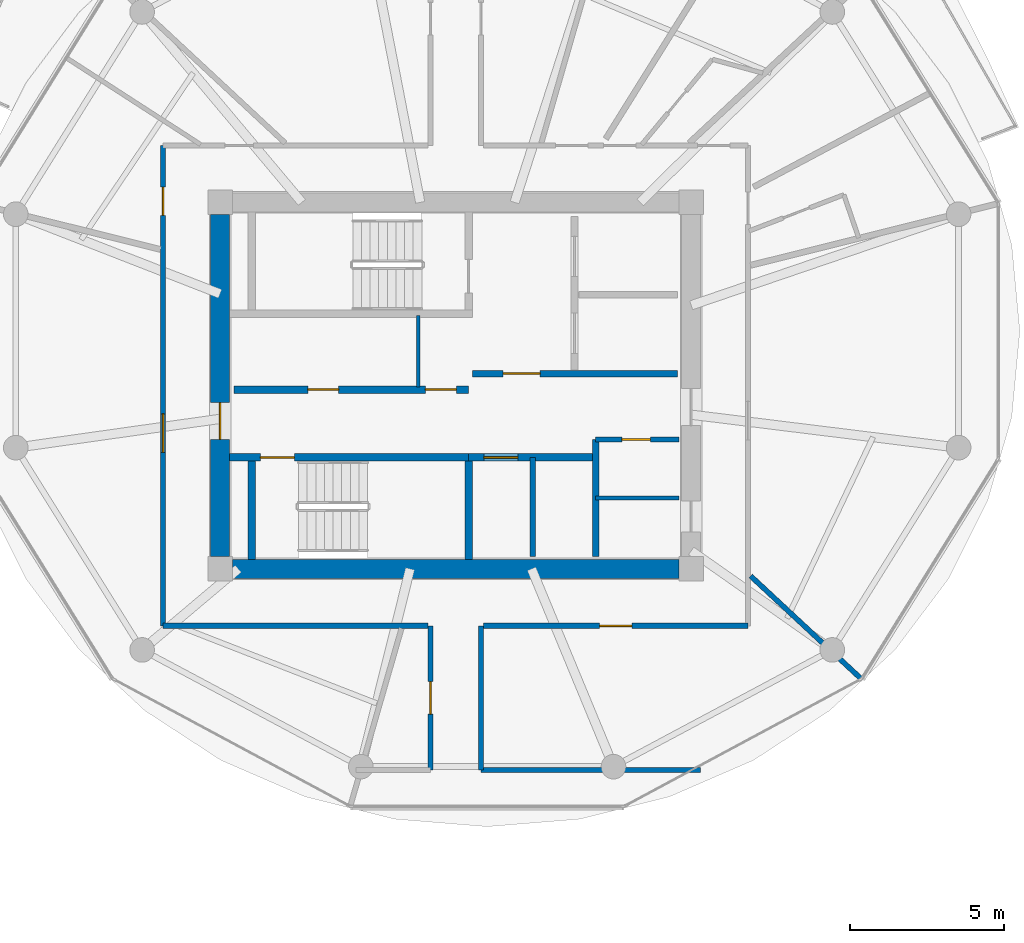
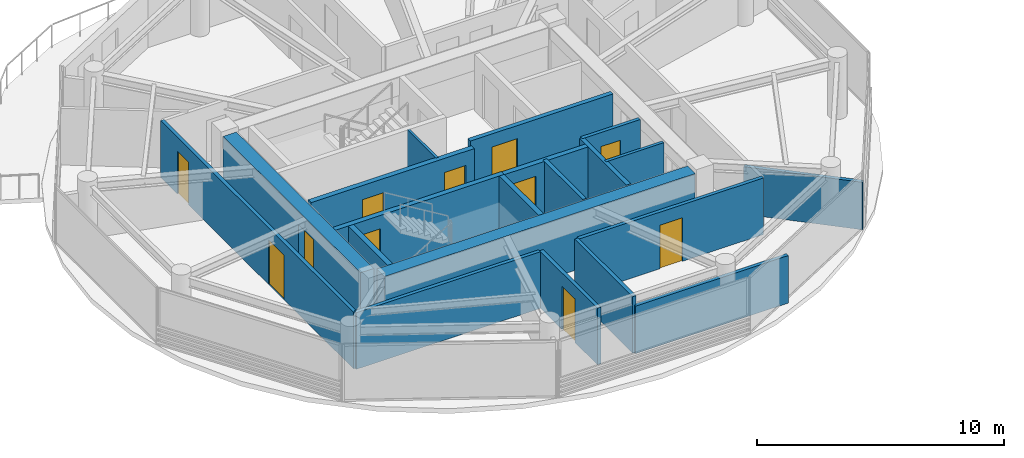
# One storey, part 12 of 21: 20 walls, 11 doors, 11 openings.
"""IFC4 building model written with IfcOpenShell, lengths in metres."""

from ifc_helpers import new_model, si_unit, direction, frame, frame_2d, origin, place, context, subcontext, project, spatial, rectangle, extrude, source, transform, mapped, material, layer, layer_set, type_object, type_shapes, element, fill, save


model = new_model("IFC4")

# Units and contexts
model_context = context("Model", 3, precision=1e-05, world=origin(), true_north=direction((0.0, 1.0)))
body_context = subcontext(model_context, "Body", "Model", "MODEL_VIEW")
ifc_project = project(units=[si_unit("LENGTHUNIT", "METRE"), si_unit("AREAUNIT", "SQUARE_METRE"), si_unit("VOLUMEUNIT", "CUBIC_METRE"), si_unit("PLANEANGLEUNIT", "RADIAN"), si_unit("MASSUNIT", "GRAM", prefix="KILO")], contexts=[model_context])

# Site, building, storey
site_placement = place(None, origin())
site = spatial("IfcSite", under=ifc_project, at=site_placement, CompositionType="ELEMENT")
building_placement = place(site_placement, origin())
building = spatial("IfcBuilding", under=site, at=building_placement, Name="Norrkilde Senior Care Towers", CompositionType="ELEMENT")
storey_placement = place(building_placement, frame((0.0, 0.0, 149.550048828125)))
storey = spatial("IfcBuildingStorey", under=building, at=storey_placement, Name="L46", CompositionType="ELEMENT", Elevation=149.550048828125)

# Wall
ifc_material_1 = material(Name="Concrete C50/60", Category="concrete")
ifc_layer_1 = layer(ifc_material_1, 0.6201171875)
ifc_layer_set_1 = layer_set([ifc_layer_1], Name="Concrete C50/60")
wall_type_1 = type_object("IfcWallType", Name="Core Shear Wall Z3 620", PredefinedType="SHEAR", material=ifc_layer_set_1)
shared_shape_1 = source(origin(), body_context, "Body", "SweptSolid", [
    extrude(rectangle(XDim=14.5, YDim=0.6201171875, at=frame_2d((7.25, 0.0))), origin(), (0.0, 0.0, 1.0), 2.81005859375),
])
wall_1_placement = place(storey_placement, frame((-20.75, -5.949951171875, 0.0), z_axis=(0.0, 0.0, 1.0), x_axis=(-1.0, 0.0, 0.0)))
element("IfcWall", 1, at=wall_1_placement, inside=storey, type_object=wall_type_1, Name="L46 Core W South Shear Wall", PredefinedType="SHEAR", context=body_context, shape_type="MappedRepresentation", body=[
    mapped(shared_shape_1, transform((0.0, 0.0, 0.0), x_axis=(1.0, 0.0, 0.0), y_axis=(0.0, 1.0, 0.0), z_axis=(0.0, 0.0, 1.0), scale=1.0)),
])

# Wall, opening, door
shared_shape_2 = source(origin(), body_context, "Body", "SweptSolid", [
    extrude(rectangle(XDim=11.10009765625, YDim=0.6201171875, at=frame_2d((5.550048828125, 0.0))), origin(), (0.0, 0.0, 1.0), 2.81005859375),
])
type_shapes(wall_type_1, [shared_shape_1, shared_shape_2])
wall_2_placement = place(storey_placement, frame((-35.64990234375, -5.550048828125, 0.0), z_axis=(0.0, 0.0, 1.0), x_axis=(0.0, 1.0, 0.0)))
wall_2 = element("IfcWall", 2, at=wall_2_placement, inside=storey, type_object=wall_type_1, Name="L46 Core W West Shear Wall", PredefinedType="SHEAR", context=body_context, shape_type="MappedRepresentation", body=[
    mapped(shared_shape_2, transform((0.0, 0.0, 0.0), x_axis=(1.0, 0.0, 0.0), y_axis=(0.0, 1.0, 0.0), z_axis=(0.0, 0.0, 1.0), scale=1.0)),
])
opening_1_placement = place(wall_2_placement, frame((3.800048828125, 0.0, 0.0)))
opening_1 = element("IfcOpeningElement", 3, at=opening_1_placement, cuts=wall_2, Name="Opening D-04", PredefinedType="OPENING", context=body_context, shape_type="SweptSolid", body=[
    extrude(rectangle(XDim=1.199951171875, YDim=2.14990234375, at=frame_2d((0.60009765625, 1.074951171875))), frame((0.0, 0.320068359375, 0.0), z_axis=(0.0, -1.0, 0.0), x_axis=(1.0, 0.0, 0.0)), (0.0, 0.0, 1.0), 0.64013671875),
])
ifc_material_2 = material(Name="Galvanised Painted Steel", Category="steel")
door_type_1 = type_object("IfcDoorType", Name="Firefighting Lobby Fire Door 1200x2150", OperationType="NOTDEFINED", PredefinedType="DOOR", material=ifc_material_2)
shared_shape_3 = source(origin(), body_context, "Body", "SweptSolid", [
    extrude(rectangle(XDim=1.199951171875, YDim=2.14990234375, at=frame_2d((0.60009765625, 1.074951171875))), frame((0.0, 0.02490234375, 0.0), z_axis=(0.0, -1.0, 0.0), x_axis=(1.0, 0.0, 0.0)), (0.0, 0.0, 1.0), 0.050048828125),
])
type_shapes(door_type_1, [shared_shape_3])
door_1_placement = place(opening_1_placement, frame((1.199951171875, 0.0, 0.0), z_axis=(0.0, 0.0, 1.0), x_axis=(-1.0, 0.0, 0.0)))
door_1 = element("IfcDoor", 4, at=door_1_placement, inside=storey, type_object=door_type_1, Name="L46 Core W West Portal Door", OperationType="SINGLE_SWING_LEFT", OverallHeight=2.14990234375, OverallWidth=1.199951171875, PredefinedType="DOOR", context=body_context, shape_type="MappedRepresentation", body=[
    mapped(shared_shape_3, transform((0.0, 0.0, 0.0), x_axis=(1.0, 0.0, 0.0), y_axis=(0.0, 1.0, 0.0), z_axis=(0.0, 0.0, 1.0), scale=1.0)),
])
fill(opening_1, door_1)

ifc_material_3 = material(Name="Concrete C45/55", Category="concrete")
ifc_layer_2 = layer(ifc_material_3, 0.239990234375)
ifc_layer_set_2 = layer_set([ifc_layer_2], Name="Concrete C45/55")
wall_type_2 = type_object("IfcWallType", Name="Shaft and Stair Enclosure Wall 240", PredefinedType="PARTITIONING", material=ifc_layer_set_2)
shared_shape_4 = source(origin(), body_context, "Body", "SweptSolid", [
    extrude(rectangle(XDim=7.880126953125, YDim=0.239990234375, at=frame_2d((3.93994140625, 0.0))), origin(), (0.0, 0.0, 1.0), 2.81005859375),
])
wall_3_placement = place(storey_placement, frame((-35.340087890625, -2.330078125, 0.0), z_axis=(0.0, 0.0, 1.0), x_axis=(1.0, 0.0, 0.0)))
wall_3 = element("IfcWall", 5, at=wall_3_placement, inside=storey, type_object=wall_type_2, Name="WL-INT-L46-W-ST2N", PredefinedType="PARTITIONING", context=body_context, shape_type="MappedRepresentation", body=[
    mapped(shared_shape_4, transform((0.0, 0.0, 0.0), x_axis=(1.0, 0.0, 0.0), y_axis=(0.0, 1.0, 0.0), z_axis=(0.0, 0.0, 1.0), scale=1.0)),
])
opening_2_placement = place(wall_3_placement, frame((1.0, 0.0, 0.0)))
opening_2 = element("IfcOpeningElement", 6, at=opening_2_placement, cuts=wall_3, Name="Opening D-03", PredefinedType="OPENING", context=body_context, shape_type="SweptSolid", body=[
    extrude(rectangle(XDim=1.10009765625, YDim=2.14990234375, at=frame_2d((0.550048828125, 1.074951171875))), frame((0.0, 0.1298828125, 0.0), z_axis=(0.0, -1.0, 0.0), x_axis=(1.0, 0.0, 0.0)), (0.0, 0.0, 1.0), 0.260009765625),
])
door_type_2 = type_object("IfcDoorType", Name="Stairwell Protected Fire Door 1100x2150", OperationType="NOTDEFINED", PredefinedType="DOOR", material=ifc_material_2)
shared_shape_5 = source(origin(), body_context, "Body", "SweptSolid", [
    extrude(rectangle(XDim=1.10009765625, YDim=2.14990234375, at=frame_2d((0.550048828125, 1.074951171875))), frame((0.0, 0.02490234375, 0.0), z_axis=(0.0, -1.0, 0.0), x_axis=(1.0, 0.0, 0.0)), (0.0, 0.0, 1.0), 0.050048828125),
])
type_shapes(door_type_2, [shared_shape_5])
door_2_placement = place(opening_2_placement, frame((1.10009765625, 0.0, 0.0), z_axis=(0.0, 0.0, 1.0), x_axis=(-1.0, 0.0, 0.0)))
door_2 = element("IfcDoor", 7, at=door_2_placement, inside=storey, type_object=door_type_2, Name="L46 Stair W2 Fire Door", OperationType="SINGLE_SWING_RIGHT", OverallHeight=2.14990234375, OverallWidth=1.10009765625, PredefinedType="DOOR", context=body_context, shape_type="MappedRepresentation", body=[
    mapped(shared_shape_5, transform((0.0, 0.0, 0.0), x_axis=(1.0, 0.0, 0.0), y_axis=(0.0, 1.0, 0.0), z_axis=(0.0, 0.0, 1.0), scale=1.0)),
])
fill(opening_2, door_2)

# Walls
shared_shape_6 = source(origin(), body_context, "Body", "SweptSolid", [
    extrude(rectangle(XDim=3.18994140625, YDim=0.239990234375, at=frame_2d((1.594970703125, 0.0))), origin(), (0.0, 0.0, 1.0), 2.81005859375),
])
type_shapes(wall_type_2, [shared_shape_4, shared_shape_6])
for number, where, z_axis, x_axis, name in (
    (8, (-34.6201171875, -5.639892578125, 0.0), (0.0, 0.0, 1.0), (0.0, 1.0, 0.0), "WL-INT-L46-W-ST2W"),
    (9, (-27.580078125, -5.639892578125, 0.0), (0.0, 0.0, 1.0), (0.0, 1.0, 0.0), "WL-INT-L46-W-ST2E"),
):
    element("IfcWall", number, at=place(storey_placement, frame(where, z_axis=z_axis, x_axis=x_axis)), inside=storey, type_object=wall_type_2, Name=name, PredefinedType="PARTITIONING", context=body_context, shape_type="MappedRepresentation", body=[
        mapped(shared_shape_6, transform((0.0, 0.0, 0.0), x_axis=(1.0, 0.0, 0.0), y_axis=(0.0, 1.0, 0.0), z_axis=(0.0, 0.0, 1.0), scale=1.0)),
    ])

# Wall, opening, door
ifc_layer_3 = layer(ifc_material_3, 0.2099609375)
ifc_layer_set_3 = layer_set([ifc_layer_3], Name="Concrete C45/55")
wall_type_3 = type_object("IfcWallType", Name="Firefighting Lobby Wall 210", PredefinedType="PARTITIONING", material=ifc_layer_set_3)
shared_shape_7 = source(origin(), body_context, "Body", "SweptSolid", [
    extrude(rectangle(XDim=6.659912109375, YDim=0.2099609375, at=frame_2d((3.330078125, 0.0))), origin(), (0.0, 0.0, 1.0), 2.794921875),
])
type_shapes(wall_type_3, [shared_shape_7])
wall_4_placement = place(storey_placement, frame((-27.4599609375, 0.389892578125, 0.0), z_axis=(0.0, 0.0, 1.0), x_axis=(1.0, 0.0, 0.0)))
wall_4 = element("IfcWall", 10, at=wall_4_placement, inside=storey, type_object=wall_type_3, Name="WL-INT-L46-W-FFLS", PredefinedType="PARTITIONING", context=body_context, shape_type="MappedRepresentation", body=[
    mapped(shared_shape_7, transform((0.0, 0.0, 0.0), x_axis=(1.0, 0.0, 0.0), y_axis=(0.0, 1.0, 0.0), z_axis=(0.0, 0.0, 1.0), scale=1.0)),
])
opening_3_placement = place(wall_4_placement, frame((1.0, 0.0, 0.0)))
opening_3 = element("IfcOpeningElement", 11, at=opening_3_placement, cuts=wall_4, Name="Opening D-04", PredefinedType="OPENING", context=body_context, shape_type="SweptSolid", body=[
    extrude(rectangle(XDim=1.199951171875, YDim=2.14990234375, at=frame_2d((0.60009765625, 1.074951171875))), frame((0.0, 0.114990234375, 0.0), z_axis=(0.0, -1.0, 0.0), x_axis=(1.0, 0.0, 0.0)), (0.0, 0.0, 1.0), 0.22998046875),
])
door_3_placement = place(opening_3_placement, frame((1.199951171875, 0.0, 0.0), z_axis=(0.0, 0.0, 1.0), x_axis=(-1.0, 0.0, 0.0)))
door_3 = element("IfcDoor", 12, at=door_3_placement, inside=storey, type_object=door_type_1, Name="L46 Firefighting Lobby W Door", OperationType="SINGLE_SWING_LEFT", OverallHeight=2.14990234375, OverallWidth=1.199951171875, PredefinedType="DOOR", context=body_context, shape_type="MappedRepresentation", body=[
    mapped(shared_shape_3, transform((0.0, 0.0, 0.0), x_axis=(1.0, 0.0, 0.0), y_axis=(0.0, 1.0, 0.0), z_axis=(0.0, 0.0, 1.0), scale=1.0)),
])
fill(opening_3, door_3)

# Wall, openings, doors
ifc_layer_4 = layer(ifc_material_3, 0.239990234375)
ifc_layer_set_4 = layer_set([ifc_layer_4], Name="Concrete C45/55")
wall_type_4 = type_object("IfcWallType", Name="Lift and Plant Rated Enclosure Partition 240", PredefinedType="PARTITIONING", material=ifc_layer_set_4)
shared_shape_8 = source(origin(), body_context, "Body", "SweptSolid", [
    extrude(rectangle(XDim=7.619873046875, YDim=0.239990234375, at=frame_2d((3.81005859375, 0.0))), origin(), (0.0, 0.0, 1.0), 2.794921875),
])
wall_5_placement = place(storey_placement, frame((-35.199951171875, -0.1298828125, 0.0), z_axis=(0.0, 0.0, 1.0), x_axis=(1.0, 0.0, 0.0)))
wall_5 = element("IfcWall", 13, at=wall_5_placement, inside=storey, type_object=wall_type_4, Name="WL-INT-L46-W-PKAS", PredefinedType="PARTITIONING", context=body_context, shape_type="MappedRepresentation", body=[
    mapped(shared_shape_8, transform((0.0, 0.0, 0.0), x_axis=(1.0, 0.0, 0.0), y_axis=(0.0, 1.0, 0.0), z_axis=(0.0, 0.0, 1.0), scale=1.0)),
])
opening_4_placement = place(wall_5_placement, frame((6.219970703125, 0.0, 0.0)))
opening_4 = element("IfcOpeningElement", 14, at=opening_4_placement, cuts=wall_5, Name="Opening D-10", PredefinedType="OPENING", context=body_context, shape_type="SweptSolid", body=[
    extrude(rectangle(XDim=1.0, YDim=2.10009765625, at=frame_2d((0.5, 1.050048828125))), frame((0.0, 0.1298828125, 0.0), z_axis=(0.0, -1.0, 0.0), x_axis=(1.0, 0.0, 0.0)), (0.0, 0.0, 1.0), 0.260009765625),
])
opening_5_placement = place(wall_5_placement, frame((2.39990234375, 0.0, 0.0)))
opening_5 = element("IfcOpeningElement", 15, at=opening_5_placement, cuts=wall_5, Name="Opening D-10", PredefinedType="OPENING", context=body_context, shape_type="SweptSolid", body=[
    extrude(rectangle(XDim=1.0, YDim=2.10009765625, at=frame_2d((0.5, 1.050048828125))), frame((0.0, 0.1298828125, 0.0), z_axis=(0.0, -1.0, 0.0), x_axis=(1.0, 0.0, 0.0)), (0.0, 0.0, 1.0), 0.260009765625),
])
door_type_3 = type_object("IfcDoorType", Name="Plant and Riser Rated Door 1000x2100", OperationType="NOTDEFINED", PredefinedType="DOOR", material=ifc_material_2)
shared_shape_9 = source(origin(), body_context, "Body", "SweptSolid", [
    extrude(rectangle(XDim=1.0, YDim=2.10009765625, at=frame_2d((0.5, 1.050048828125))), frame((0.0, 0.02490234375, 0.0), z_axis=(0.0, -1.0, 0.0), x_axis=(1.0, 0.0, 0.0)), (0.0, 0.0, 1.0), 0.050048828125),
])
type_shapes(door_type_3, [shared_shape_9])
door_4_placement = place(opening_4_placement, frame((1.0, 0.0, 0.0), z_axis=(0.0, 0.0, 1.0), x_axis=(-1.0, 0.0, 0.0)))
door_4 = element("IfcDoor", 16, at=door_4_placement, inside=storey, type_object=door_type_3, Name="L46 Electrical Riser W Door", OperationType="SINGLE_SWING_LEFT", OverallHeight=2.10009765625, OverallWidth=1.0, PredefinedType="DOOR", context=body_context, shape_type="MappedRepresentation", body=[
    mapped(shared_shape_9, transform((0.0, 0.0, 0.0), x_axis=(1.0, 0.0, 0.0), y_axis=(0.0, 1.0, 0.0), z_axis=(0.0, 0.0, 1.0), scale=1.0)),
])
fill(opening_4, door_4)
door_5_placement = place(opening_5_placement, frame((1.0, 0.0, 0.0), z_axis=(0.0, 0.0, 1.0), x_axis=(-1.0, 0.0, 0.0)))
door_5 = element("IfcDoor", 17, at=door_5_placement, inside=storey, type_object=door_type_3, Name="L46 Clean Supply Store W Door", OperationType="SINGLE_SWING_LEFT", OverallHeight=2.10009765625, OverallWidth=1.0, PredefinedType="DOOR", context=body_context, shape_type="MappedRepresentation", body=[
    mapped(shared_shape_9, transform((0.0, 0.0, 0.0), x_axis=(1.0, 0.0, 0.0), y_axis=(0.0, 1.0, 0.0), z_axis=(0.0, 0.0, 1.0), scale=1.0)),
])
fill(opening_5, door_5)

# Walls
ifc_material_4 = material(Name="Gypsum Acoustic Board")
ifc_layer_5 = layer(ifc_material_4, 0.114990234375)
ifc_layer_set_5 = layer_set([ifc_layer_5], Name="Gypsum Acoustic Board")
wall_type_5 = type_object("IfcWallType", Name="Internal Room Partition 115", PredefinedType="PARTITIONING", material=ifc_layer_set_5)
shared_shape_10 = source(origin(), body_context, "Body", "SweptSolid", [
    extrude(rectangle(XDim=2.330078125, YDim=0.114990234375, at=frame_2d((1.1650390625, 0.0))), origin(), (0.0, 0.0, 1.0), 2.794921875),
])
type_shapes(wall_type_5, [shared_shape_10])
wall_6_placement = place(storey_placement, frame((-29.2099609375, -0.050048828125, 0.0), z_axis=(0.0, 0.0, 1.0), x_axis=(0.0, 1.0, 0.0)))
element("IfcWall", 18, at=wall_6_placement, inside=storey, type_object=wall_type_5, Name="WL-INT-L46-W-RISW", PredefinedType="PARTITIONING", context=body_context, shape_type="MappedRepresentation", body=[
    mapped(shared_shape_10, transform((0.0, 0.0, 0.0), x_axis=(1.0, 0.0, 0.0), y_axis=(0.0, 1.0, 0.0), z_axis=(0.0, 0.0, 1.0), scale=1.0)),
])
ifc_layer_6 = layer(ifc_material_3, 0.199951171875)
ifc_layer_set_6 = layer_set([ifc_layer_6], Name="Concrete C45/55")
wall_type_6 = type_object("IfcWallType", Name="Shaft Division and Plant Partition 200", PredefinedType="PARTITIONING", material=ifc_layer_set_6)
shared_shape_11 = source(origin(), body_context, "Body", "SweptSolid", [
    extrude(rectangle(XDim=3.800048828125, YDim=0.199951171875, at=frame_2d((1.89990234375, 0.0))), origin(), (0.0, 0.0, 1.0), 2.794921875),
])
type_shapes(wall_type_6, [shared_shape_11])
wall_7_placement = place(storey_placement, frame((-23.449951171875, -5.550048828125, 0.0), z_axis=(0.0, 0.0, 1.0), x_axis=(0.0, 1.0, 0.0)))
element("IfcWall", 19, at=wall_7_placement, inside=storey, type_object=wall_type_6, Name="WL-INT-L46-W-PKBE", PredefinedType="PARTITIONING", context=body_context, shape_type="MappedRepresentation", body=[
    mapped(shared_shape_11, transform((0.0, 0.0, 0.0), x_axis=(1.0, 0.0, 0.0), y_axis=(0.0, 1.0, 0.0), z_axis=(0.0, 0.0, 1.0), scale=1.0)),
])

# Wall, opening, door
shared_shape_12 = source(origin(), body_context, "Body", "SweptSolid", [
    extrude(rectangle(XDim=4.130126953125, YDim=0.239990234375, at=frame_2d((2.06494140625, 0.0))), origin(), (0.0, 0.0, 1.0), 2.794921875),
])
type_shapes(wall_type_4, [shared_shape_8, shared_shape_12])
wall_8_placement = place(storey_placement, frame((-27.580078125, -2.330078125, 0.0), z_axis=(0.0, 0.0, 1.0), x_axis=(1.0, 0.0, 0.0)))
wall_8 = element("IfcWall", 20, at=wall_8_placement, inside=storey, type_object=wall_type_4, Name="WL-INT-L46-W-PKBN", PredefinedType="PARTITIONING", context=body_context, shape_type="MappedRepresentation", body=[
    mapped(shared_shape_12, transform((0.0, 0.0, 0.0), x_axis=(1.0, 0.0, 0.0), y_axis=(0.0, 1.0, 0.0), z_axis=(0.0, 0.0, 1.0), scale=1.0)),
])
opening_6_placement = place(wall_8_placement, frame((0.5, 0.0, 0.0)))
opening_6 = element("IfcOpeningElement", 21, at=opening_6_placement, cuts=wall_8, Name="Opening LD-01", PredefinedType="OPENING", context=body_context, shape_type="SweptSolid", body=[
    extrude(rectangle(XDim=1.10009765625, YDim=2.199951171875, at=frame_2d((0.550048828125, 1.10009765625))), frame((0.0, 0.1298828125, 0.0), z_axis=(0.0, -1.0, 0.0), x_axis=(1.0, 0.0, 0.0)), (0.0, 0.0, 1.0), 0.260009765625),
])
ifc_material_5 = material(Name="Stainless Steel", Category="steel")
door_type_4 = type_object("IfcDoorType", Name="Lift Landing Sliding Door 1100x2200", OperationType="NOTDEFINED", PredefinedType="DOOR", material=ifc_material_5)
shared_shape_13 = source(origin(), body_context, "Body", "SweptSolid", [
    extrude(rectangle(XDim=1.10009765625, YDim=2.199951171875, at=frame_2d((0.550048828125, 1.10009765625))), frame((0.0, 0.02490234375, 0.0), z_axis=(0.0, -1.0, 0.0), x_axis=(1.0, 0.0, 0.0)), (0.0, 0.0, 1.0), 0.050048828125),
])
type_shapes(door_type_4, [shared_shape_13])
door_6_placement = place(opening_6_placement, frame((1.10009765625, 0.0, 0.0), z_axis=(0.0, 0.0, 1.0), x_axis=(-1.0, 0.0, 0.0)))
door_6 = element("IfcDoor", 22, at=door_6_placement, inside=storey, type_object=door_type_4, Name="L46 Passenger Lift W3 Landing Door", OperationType="SLIDING_TO_LEFT", OverallHeight=2.199951171875, OverallWidth=1.10009765625, PredefinedType="DOOR", context=body_context, shape_type="MappedRepresentation", body=[
    mapped(shared_shape_13, transform((0.0, 0.0, 0.0), x_axis=(1.0, 0.0, 0.0), y_axis=(0.0, 1.0, 0.0), z_axis=(0.0, 0.0, 1.0), scale=1.0)),
])
fill(opening_6, door_6)

# Wall
ifc_layer_7 = layer(ifc_material_3, 0.179931640625)
ifc_layer_set_7 = layer_set([ifc_layer_7], Name="Concrete C45/55")
wall_type_7 = type_object("IfcWallType", Name="Hoistway Division Rated Partition 180", PredefinedType="PARTITIONING", material=ifc_layer_set_7)
shared_shape_14 = source(origin(), body_context, "Body", "SweptSolid", [
    extrude(rectangle(XDim=3.219970703125, YDim=0.179931640625, at=frame_2d((1.60986328125, 0.0))), origin(), (0.0, 0.0, 1.0), 2.794921875),
])
type_shapes(wall_type_7, [shared_shape_14])
wall_9_placement = place(storey_placement, frame((-25.5, -5.550048828125, 0.0), z_axis=(0.0, 0.0, 1.0), x_axis=(0.0, 1.0, 0.0)))
element("IfcWall", 23, at=wall_9_placement, inside=storey, type_object=wall_type_7, Name="WL-INT-L46-W-PL34", PredefinedType="PARTITIONING", context=body_context, shape_type="MappedRepresentation", body=[
    mapped(shared_shape_14, transform((0.0, 0.0, 0.0), x_axis=(1.0, 0.0, 0.0), y_axis=(0.0, 1.0, 0.0), z_axis=(0.0, 0.0, 1.0), scale=1.0)),
])

# Wall, opening, door
ifc_layer_8 = layer(ifc_material_4, 0.1650390625)
ifc_layer_set_8 = layer_set([ifc_layer_8], Name="Gypsum Acoustic Board")
wall_type_8 = type_object("IfcWallType", Name="Corridor Rated Partition 165", PredefinedType="PARTITIONING", material=ifc_layer_set_8)
shared_shape_15 = source(origin(), body_context, "Body", "SweptSolid", [
    extrude(rectangle(XDim=2.699951171875, YDim=0.1650390625, at=frame_2d((1.35009765625, 0.0))), origin(), (0.0, 0.0, 1.0), 2.794921875),
])
wall_10_placement = place(storey_placement, frame((-23.449951171875, -1.75, 0.0), z_axis=(0.0, 0.0, 1.0), x_axis=(1.0, 0.0, 0.0)))
wall_10 = element("IfcWall", 24, at=wall_10_placement, inside=storey, type_object=wall_type_8, Name="WL-INT-L46-W-CSN", PredefinedType="PARTITIONING", context=body_context, shape_type="MappedRepresentation", body=[
    mapped(shared_shape_15, transform((0.0, 0.0, 0.0), x_axis=(1.0, 0.0, 0.0), y_axis=(0.0, 1.0, 0.0), z_axis=(0.0, 0.0, 1.0), scale=1.0)),
])
opening_7_placement = place(wall_10_placement, frame((0.85009765625, 0.0, 0.0)))
opening_7 = element("IfcOpeningElement", 25, at=opening_7_placement, cuts=wall_10, Name="Opening D-12", PredefinedType="OPENING", context=body_context, shape_type="SweptSolid", body=[
    extrude(rectangle(XDim=0.925048828125, YDim=2.10009765625, at=frame_2d((0.46240234375, 1.050048828125))), frame((0.0, 0.092529296875, 0.0), z_axis=(0.0, -1.0, 0.0), x_axis=(1.0, 0.0, 0.0)), (0.0, 0.0, 1.0), 0.18505859375),
])
door_type_5 = type_object("IfcDoorType", Name="Core Wet Room Rated Door 925x2100", OperationType="NOTDEFINED", PredefinedType="DOOR", material=ifc_material_2)
shared_shape_16 = source(origin(), body_context, "Body", "SweptSolid", [
    extrude(rectangle(XDim=0.925048828125, YDim=2.10009765625, at=frame_2d((0.46240234375, 1.050048828125))), frame((0.0, 0.02490234375, 0.0), z_axis=(0.0, -1.0, 0.0), x_axis=(1.0, 0.0, 0.0)), (0.0, 0.0, 1.0), 0.050048828125),
])
type_shapes(door_type_5, [shared_shape_16])
door_7_placement = place(opening_7_placement, origin())
door_7 = element("IfcDoor", 26, at=door_7_placement, inside=storey, type_object=door_type_5, Name="L46 Staff WC W Door", OperationType="SINGLE_SWING_LEFT", OverallHeight=2.10009765625, OverallWidth=0.925048828125, PredefinedType="DOOR", context=body_context, shape_type="MappedRepresentation", body=[
    mapped(shared_shape_16, transform((0.0, 0.0, 0.0), x_axis=(1.0, 0.0, 0.0), y_axis=(0.0, 1.0, 0.0), z_axis=(0.0, 0.0, 1.0), scale=1.0)),
])
fill(opening_7, door_7)

# Wall
ifc_layer_9 = layer(ifc_material_4, 0.139892578125)
ifc_layer_set_9 = layer_set([ifc_layer_9], Name="Gypsum Acoustic Board")
wall_type_9 = type_object("IfcWallType", Name="En-suite Wet Room Wall 140", PredefinedType="PARTITIONING", material=ifc_layer_set_9)
shared_shape_17 = source(origin(), body_context, "Body", "SweptSolid", [
    extrude(rectangle(XDim=2.699951171875, YDim=0.139892578125, at=frame_2d((1.35009765625, 0.0))), origin(), (0.0, 0.0, 1.0), 2.794921875),
])
type_shapes(wall_type_9, [shared_shape_17])
wall_11_placement = place(storey_placement, frame((-23.449951171875, -3.64990234375, 0.0), z_axis=(0.0, 0.0, 1.0), x_axis=(1.0, 0.0, 0.0)))
element("IfcWall", 27, at=wall_11_placement, inside=storey, type_object=wall_type_9, Name="WL-INT-L46-W-CS2H", PredefinedType="PARTITIONING", context=body_context, shape_type="MappedRepresentation", body=[
    mapped(shared_shape_17, transform((0.0, 0.0, 0.0), x_axis=(1.0, 0.0, 0.0), y_axis=(0.0, 1.0, 0.0), z_axis=(0.0, 0.0, 1.0), scale=1.0)),
])

# Wall, opening, door
shared_shape_18 = source(origin(), body_context, "Body", "SweptSolid", [
    extrude(rectangle(XDim=8.60009765625, YDim=0.1650390625, at=frame_2d((4.300048828125, 0.0))), origin(), (0.0, 0.0, 1.0), 2.794921875),
])
wall_12_placement = place(storey_placement, frame((-18.5, -7.800048828125, 0.0), z_axis=(0.0, 0.0, 1.0), x_axis=(-1.0, 0.0, 0.0)))
wall_12 = element("IfcWall", 28, at=wall_12_placement, inside=storey, type_object=wall_type_8, Name="WL-INT-L46-W-CRW-S-0", PredefinedType="PARTITIONING", context=body_context, shape_type="MappedRepresentation", body=[
    mapped(shared_shape_18, transform((0.0, 0.0, 0.0), x_axis=(1.0, 0.0, 0.0), y_axis=(0.0, 1.0, 0.0), z_axis=(0.0, 0.0, 1.0), scale=1.0)),
])
opening_8_placement = place(wall_12_placement, frame((3.77490234375, 0.0, 0.0)))
opening_8 = element("IfcOpeningElement", 29, at=opening_8_placement, cuts=wall_12, Name="Opening D-06", PredefinedType="OPENING", context=body_context, shape_type="SweptSolid", body=[
    extrude(rectangle(XDim=1.050048828125, YDim=2.14990234375, at=frame_2d((0.52490234375, 1.074951171875))), frame((0.0, 0.092529296875, 0.0), z_axis=(0.0, -1.0, 0.0), x_axis=(1.0, 0.0, 0.0)), (0.0, 0.0, 1.0), 0.18505859375),
])
ifc_material_6 = material(Name="Nordic Ash Timber", Category="wood")
door_type_6 = type_object("IfcDoorType", Name="Apartment Entrance Fire Door 1050x2150", OperationType="NOTDEFINED", PredefinedType="DOOR", material=ifc_material_6)
shared_shape_19 = source(origin(), body_context, "Body", "SweptSolid", [
    extrude(rectangle(XDim=1.050048828125, YDim=2.14990234375, at=frame_2d((0.52490234375, 1.074951171875))), frame((0.0, 0.02490234375, 0.0), z_axis=(0.0, -1.0, 0.0), x_axis=(1.0, 0.0, 0.0)), (0.0, 0.0, 1.0), 0.050048828125),
])
type_shapes(door_type_6, [shared_shape_19])
door_8_placement = place(opening_8_placement, frame((1.050048828125, 0.0, 0.0), z_axis=(0.0, 0.0, 1.0), x_axis=(-1.0, 0.0, 0.0)))
door_8 = element("IfcDoor", 30, at=door_8_placement, inside=storey, type_object=door_type_6, Name="L46 Reading Lounge SEL Door", OperationType="SINGLE_SWING_RIGHT", OverallHeight=2.14990234375, OverallWidth=1.050048828125, PredefinedType="DOOR", context=body_context, shape_type="MappedRepresentation", body=[
    mapped(shared_shape_19, transform((0.0, 0.0, 0.0), x_axis=(1.0, 0.0, 0.0), y_axis=(0.0, 1.0, 0.0), z_axis=(0.0, 0.0, 1.0), scale=1.0)),
])
fill(opening_8, door_8)

# Wall
wall_13_placement = place(storey_placement, frame((-28.89990234375, -7.800048828125, 0.0), z_axis=(0.0, 0.0, 1.0), x_axis=(-1.0, 0.0, 0.0)))
element("IfcWall", 31, at=wall_13_placement, inside=storey, type_object=wall_type_8, Name="WL-INT-L46-W-CRW-S-1", PredefinedType="PARTITIONING", context=body_context, shape_type="MappedRepresentation", body=[
    mapped(shared_shape_18, transform((0.0, 0.0, 0.0), x_axis=(1.0, 0.0, 0.0), y_axis=(0.0, 1.0, 0.0), z_axis=(0.0, 0.0, 1.0), scale=1.0)),
])

# Wall, openings, doors
shared_shape_20 = source(origin(), body_context, "Body", "SweptSolid", [
    extrude(rectangle(XDim=15.60009765625, YDim=0.1650390625, at=frame_2d((7.800048828125, 0.0))), origin(), (0.0, 0.0, 1.0), 2.794921875),
])
wall_14_placement = place(storey_placement, frame((-37.5, -7.800048828125, 0.0), z_axis=(0.0, 0.0, 1.0), x_axis=(0.0, 1.0, 0.0)))
wall_14 = element("IfcWall", 32, at=wall_14_placement, inside=storey, type_object=wall_type_8, Name="WL-INT-L46-W-CRW-W-0", PredefinedType="PARTITIONING", context=body_context, shape_type="MappedRepresentation", body=[
    mapped(shared_shape_20, transform((0.0, 0.0, 0.0), x_axis=(1.0, 0.0, 0.0), y_axis=(0.0, 1.0, 0.0), z_axis=(0.0, 0.0, 1.0), scale=1.0)),
])
opening_9_placement = place(wall_14_placement, frame((13.325439453125, 0.0, 0.0)))
opening_9 = element("IfcOpeningElement", 33, at=opening_9_placement, cuts=wall_14, Name="Opening D-08", PredefinedType="OPENING", context=body_context, shape_type="SweptSolid", body=[
    extrude(rectangle(XDim=0.919921875, YDim=2.10009765625, at=frame_2d((0.4599609375, 1.050048828125))), frame((0.0, 0.092529296875, 0.0), z_axis=(0.0, -1.0, 0.0), x_axis=(1.0, 0.0, 0.0)), (0.0, 0.0, 1.0), 0.18505859375),
])
opening_10_placement = place(wall_14_placement, frame((5.62841796875, 0.0, 0.0)))
opening_10 = element("IfcOpeningElement", 34, at=opening_10_placement, cuts=wall_14, Name="Opening D-05", PredefinedType="OPENING", context=body_context, shape_type="SweptSolid", body=[
    extrude(rectangle(XDim=1.25, YDim=2.199951171875, at=frame_2d((0.625, 1.10009765625))), frame((0.0, 0.092529296875, 0.0), z_axis=(0.0, -1.0, 0.0), x_axis=(1.0, 0.0, 0.0)), (0.0, 0.0, 1.0), 0.18505859375),
])
door_type_7 = type_object("IfcDoorType", Name="Care Bedroom Bariatric Door 1250x2200", OperationType="NOTDEFINED", PredefinedType="DOOR", material=ifc_material_6)
shared_shape_21 = source(origin(), body_context, "Body", "SweptSolid", [
    extrude(rectangle(XDim=1.25, YDim=2.199951171875, at=frame_2d((0.625, 1.10009765625))), frame((0.0, 0.02490234375, 0.0), z_axis=(0.0, -1.0, 0.0), x_axis=(1.0, 0.0, 0.0)), (0.0, 0.0, 1.0), 0.050048828125),
])
type_shapes(door_type_7, [shared_shape_21])
door_9_placement = place(opening_10_placement, frame((1.25, 0.0, 0.0), z_axis=(0.0, 0.0, 1.0), x_axis=(-1.0, 0.0, 0.0)))
door_9 = element("IfcDoor", 35, at=door_9_placement, inside=storey, type_object=door_type_7, Name="L46 Geriatric Rehabilitation Clinic Door", OperationType="SINGLE_SWING_RIGHT", OverallHeight=2.199951171875, OverallWidth=1.25, PredefinedType="DOOR", context=body_context, shape_type="MappedRepresentation", body=[
    mapped(shared_shape_21, transform((0.0, 0.0, 0.0), x_axis=(1.0, 0.0, 0.0), y_axis=(0.0, 1.0, 0.0), z_axis=(0.0, 0.0, 1.0), scale=1.0)),
])
fill(opening_10, door_9)
door_type_8 = type_object("IfcDoorType", Name="Accessible Wet Room Door 920x2100", OperationType="NOTDEFINED", PredefinedType="DOOR", material=ifc_material_6)
shared_shape_22 = source(origin(), body_context, "Body", "SweptSolid", [
    extrude(rectangle(XDim=0.919921875, YDim=2.10009765625, at=frame_2d((0.4599609375, 1.050048828125))), frame((0.0, 0.02490234375, 0.0), z_axis=(0.0, -1.0, 0.0), x_axis=(1.0, 0.0, 0.0)), (0.0, 0.0, 1.0), 0.050048828125),
])
type_shapes(door_type_8, [shared_shape_22])
door_10_placement = place(opening_9_placement, frame((0.919921875, 0.0, 0.0), z_axis=(0.0, 0.0, 1.0), x_axis=(-1.0, 0.0, 0.0)))
door_10 = element("IfcDoor", 36, at=door_10_placement, inside=storey, type_object=door_type_8, Name="L46 Public Restroom Door", OperationType="SINGLE_SWING_RIGHT", OverallHeight=2.10009765625, OverallWidth=0.919921875, PredefinedType="DOOR", context=body_context, shape_type="MappedRepresentation", body=[
    mapped(shared_shape_22, transform((0.0, 0.0, 0.0), x_axis=(1.0, 0.0, 0.0), y_axis=(0.0, 1.0, 0.0), z_axis=(0.0, 0.0, 1.0), scale=1.0)),
])
fill(opening_9, door_10)

# Wall
shared_shape_23 = source(origin(), body_context, "Body", "SweptSolid", [
    extrude(rectangle(XDim=4.926513671875, YDim=0.1650390625, at=frame_2d((2.46337890625, 0.0))), origin(), (0.0, 0.0, 1.0), 2.344970703125),
])
wall_15_placement = place(storey_placement, frame((-18.419921875, -6.182861328125, 0.0), z_axis=(0.0, 0.0, 1.0), x_axis=(0.732191335987, -0.681098999783, 0.0)))
element("IfcWall", 37, at=wall_15_placement, inside=storey, type_object=wall_type_8, Name="WL-INT-L46-W-DEM-10-0", PredefinedType="PARTITIONING", context=body_context, shape_type="MappedRepresentation", body=[
    mapped(shared_shape_23, transform((0.0, 0.0, 0.0), x_axis=(1.0, 0.0, 0.0), y_axis=(0.0, 1.0, 0.0), z_axis=(0.0, 0.0, 1.0), scale=1.0)),
])

# Wall, opening, door
shared_shape_24 = source(origin(), body_context, "Body", "SweptSolid", [
    extrude(rectangle(XDim=4.6845703125, YDim=0.1650390625, at=frame_2d((2.34228515625, 0.0))), origin(), (0.0, 0.0, 1.0), 2.794921875),
])
wall_16_placement = place(storey_placement, frame((-28.820068359375, -12.484619140625, 0.0), z_axis=(0.0, 0.0, 1.0), x_axis=(0.0, 1.0, 0.0)))
wall_16 = element("IfcWall", 38, at=wall_16_placement, inside=storey, type_object=wall_type_8, Name="WL-INT-L46-W-PKW-SWL", PredefinedType="PARTITIONING", context=body_context, shape_type="MappedRepresentation", body=[
    mapped(shared_shape_24, transform((0.0, 0.0, 0.0), x_axis=(1.0, 0.0, 0.0), y_axis=(0.0, 1.0, 0.0), z_axis=(0.0, 0.0, 1.0), scale=1.0)),
])
opening_11_placement = place(wall_16_placement, frame((1.8173828125, 0.0, 0.0)))
opening_11 = element("IfcOpeningElement", 39, at=opening_11_placement, cuts=wall_16, Name="Opening D-06", PredefinedType="OPENING", context=body_context, shape_type="SweptSolid", body=[
    extrude(rectangle(XDim=1.050048828125, YDim=2.14990234375, at=frame_2d((0.52490234375, 1.074951171875))), frame((0.0, 0.092529296875, 0.0), z_axis=(0.0, -1.0, 0.0), x_axis=(1.0, 0.0, 0.0)), (0.0, 0.0, 1.0), 0.18505859375),
])
door_11_placement = place(opening_11_placement, frame((1.050048828125, 0.0, 0.0), z_axis=(0.0, 0.0, 1.0), x_axis=(-1.0, 0.0, 0.0)))
door_11 = element("IfcDoor", 40, at=door_11_placement, inside=storey, type_object=door_type_6, Name="L46 Reading Lounge SWL Door", OperationType="SINGLE_SWING_RIGHT", OverallHeight=2.14990234375, OverallWidth=1.050048828125, PredefinedType="DOOR", context=body_context, shape_type="MappedRepresentation", body=[
    mapped(shared_shape_19, transform((0.0, 0.0, 0.0), x_axis=(1.0, 0.0, 0.0), y_axis=(0.0, 1.0, 0.0), z_axis=(0.0, 0.0, 1.0), scale=1.0)),
])
fill(opening_11, door_11)

# Walls
wall_17_placement = place(storey_placement, frame((-27.179931640625, -12.484619140625, 0.0), z_axis=(0.0, 0.0, 1.0), x_axis=(0.0, 1.0, 0.0)))
element("IfcWall", 41, at=wall_17_placement, inside=storey, type_object=wall_type_8, Name="WL-INT-L46-W-PKW-SEL", PredefinedType="PARTITIONING", context=body_context, shape_type="MappedRepresentation", body=[
    mapped(shared_shape_24, transform((0.0, 0.0, 0.0), x_axis=(1.0, 0.0, 0.0), y_axis=(0.0, 1.0, 0.0), z_axis=(0.0, 0.0, 1.0), scale=1.0)),
])
shared_shape_25 = source(origin(), body_context, "Body", "SweptSolid", [
    extrude(rectangle(XDim=7.138916015625, YDim=0.1650390625, at=frame_2d((3.5693359375, 0.0))), origin(), (0.0, 0.0, 1.0), 2.344970703125),
])
type_shapes(wall_type_8, [shared_shape_15, shared_shape_18, shared_shape_20, shared_shape_23, shared_shape_24, shared_shape_25])
wall_18_placement = place(storey_placement, frame((-27.179931640625, -12.484619140625, 0.0), z_axis=(0.0, 0.0, 1.0), x_axis=(1.0, 0.0, 0.0)))
element("IfcWall", 42, at=wall_18_placement, inside=storey, type_object=wall_type_8, Name="WL-INT-L46-W-PKH-SEL-0", PredefinedType="PARTITIONING", context=body_context, shape_type="MappedRepresentation", body=[
    mapped(shared_shape_25, transform((0.0, 0.0, 0.0), x_axis=(1.0, 0.0, 0.0), y_axis=(0.0, 1.0, 0.0), z_axis=(0.0, 0.0, 1.0), scale=1.0)),
])

save(model, "model.ifc")
